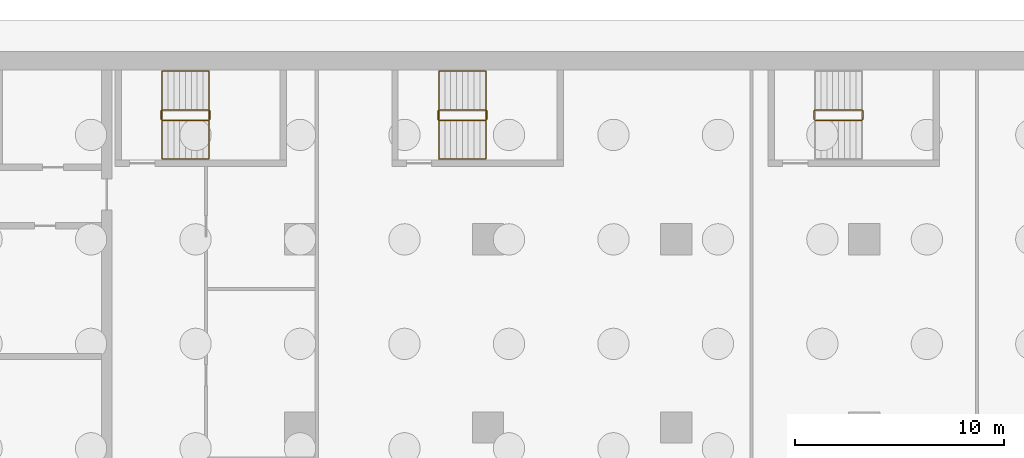
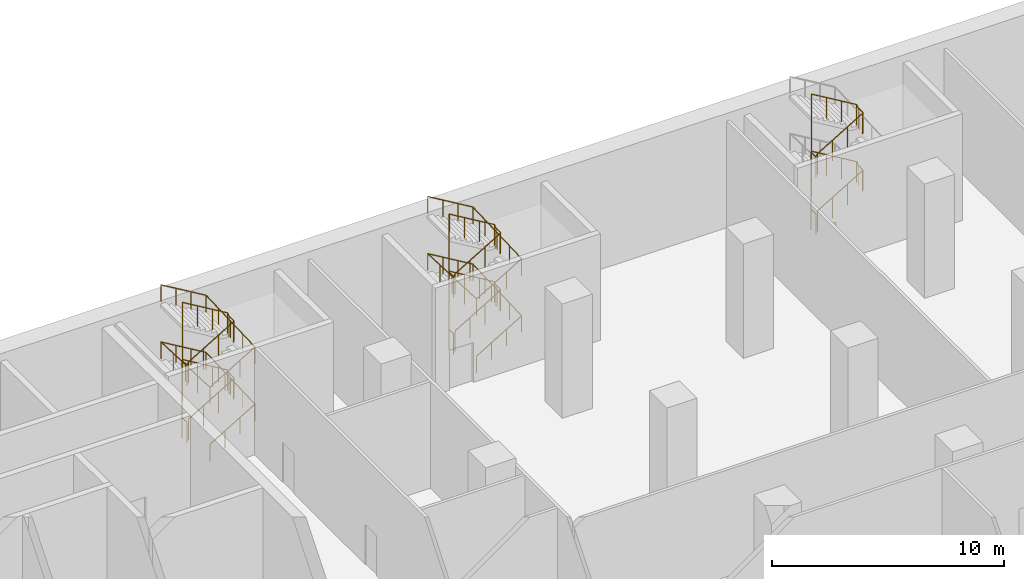
# One storey, part 23 of 25: 5 railings.
"""IFC4 building model written with IfcOpenShell, lengths in metres."""

import ifcopenshell
import ifcopenshell.guid

model = None  # the IFC model being written
_history = None  # IfcOwnerHistory: only IFC2X3 demands one
_inside = {}  # id of a spatial element -> (the spatial element, [elements in it])
_under = {}  # id of a project, library or spatial element -> (it, [spatial elements below it])
_declared = {}  # id of a project -> (the project, [libraries it declares])
_typed = {}  # id of a type object -> (the type object, [elements of that type])
_made_of = {}  # id of a material, layer set ... -> (it, [elements and type objects made of it])


def new_model(schema):
    """Start an empty IFC model of exactly this schema.

    Asked for "IFC4X3", IfcOpenShell would pick the latest addendum, in which some entities
    have other attributes; the version numbers below select the first issue.
    IFC2X3 requires an IfcOwnerHistory on every rooted entity: one is made here for all.
    """
    global model, _history
    if schema == "IFC4X3":
        model = ifcopenshell.file(schema_version=(4, 3, 0, 0))
    else:
        model = ifcopenshell.file(schema=schema)
    _inside.clear()
    _under.clear()
    _declared.clear()
    _typed.clear()
    _made_of.clear()
    _history = None
    if model.schema == "IFC2X3":
        org = make("IfcOrganization", Name="unknown")
        user = make(
            "IfcPersonAndOrganization",
            ThePerson=make("IfcPerson", FamilyName="unknown"),
            TheOrganization=org,
        )
        app = make(
            "IfcApplication",
            ApplicationDeveloper=org,
            Version="unknown",
            ApplicationFullName="unknown",
            ApplicationIdentifier="unknown",
        )
        _history = make(
            "IfcOwnerHistory",
            OwningUser=user,
            OwningApplication=app,
            ChangeAction="ADDED",
            CreationDate=0,
        )
    return model


def make(cls, **values):
    """One entity of the class cls with the attributes given. An attribute that is None is left unset."""
    return model.create_entity(
        cls, **{name: value for name, value in values.items() if value is not None}
    )


def rooted(cls, **values):
    """An entity with a GlobalId (a new one), such as an element, a storey or a relation."""
    return make(cls, GlobalId=ifcopenshell.guid.new(), OwnerHistory=_history, **values)


def si_unit(unit_type, name, prefix=None):
    """IfcSIUnit, for example si_unit("LENGTHUNIT", "METRE", prefix="MILLI")."""
    return make("IfcSIUnit", UnitType=unit_type, Prefix=prefix, Name=name)


def assignment(units):
    """IfcUnitAssignment: the units of a project."""
    return None if units is None else make("IfcUnitAssignment", Units=units)


def point(xyz):
    """IfcCartesianPoint."""
    return None if xyz is None else make("IfcCartesianPoint", Coordinates=xyz)


def direction(xyz):
    """IfcDirection."""
    return None if xyz is None else make("IfcDirection", DirectionRatios=xyz)


def frame(location, z_axis=None, x_axis=None):
    """IfcAxis2Placement3D, a coordinate frame: its origin and axes. An axis left out is left unset."""
    return make(
        "IfcAxis2Placement3D",
        Location=point(location),
        Axis=direction(z_axis),
        RefDirection=direction(x_axis),
    )


def frame_2d(location, x_axis=None):
    """IfcAxis2Placement2D, a coordinate frame in the plane: its origin and x axis."""
    return make(
        "IfcAxis2Placement2D", Location=point(location), RefDirection=direction(x_axis)
    )


def origin():
    """The frame at (0, 0, 0) with its axes left unset."""
    return frame((0.0, 0.0, 0.0))


def origin_2d():
    """The frame at (0, 0) in the plane with its x axis left unset."""
    return frame_2d((0.0, 0.0))


def place(relative_to, where):
    """IfcLocalPlacement: puts the frame where relative to a parent placement (None: the world)."""
    return make(
        "IfcLocalPlacement", PlacementRelTo=relative_to, RelativePlacement=where
    )


def context(
    kind, dimensions, precision=None, world=None, true_north=None, identifier=None
):
    """IfcGeometricRepresentationContext, for example the 3D "Model" context."""
    return make(
        "IfcGeometricRepresentationContext",
        ContextIdentifier=identifier,
        ContextType=kind,
        CoordinateSpaceDimension=dimensions,
        Precision=precision,
        WorldCoordinateSystem=world,
        TrueNorth=true_north,
    )


def subcontext(parent, identifier, kind, view, scale=None):
    """IfcGeometricRepresentationSubContext, for example "Body" below "Model"."""
    return make(
        "IfcGeometricRepresentationSubContext",
        ContextIdentifier=identifier,
        ContextType=kind,
        ParentContext=parent,
        TargetScale=scale,
        TargetView=view,
    )


def project(units=None, contexts=None):
    """IfcProject with its units and contexts."""
    return rooted(
        "IfcProject",
        Name="project",
        RepresentationContexts=contexts,
        UnitsInContext=assignment(units),
    )


def spatial(cls, under=None, at=None, **own):
    """A site, building, storey or space (cls), placed at a placement, below another one or the project."""
    s = rooted(cls, ObjectPlacement=at, **own)
    if under is not None:
        _under.setdefault(under.id(), (under, []))[1].append(s)
    return s


def profile(cls, at=None, kind="AREA", **sizes):
    """A parametric profile (cls). Its sizes go by their IFC names, for example OverallWidth=200.0."""
    return make(cls, ProfileType=kind, Position=at, **sizes)


def circle(**sizes):
    """IfcCircleProfileDef."""
    return profile("IfcCircleProfileDef", **sizes)


def extrude(swept, where, along, depth):
    """IfcExtrudedAreaSolid: the profile swept, set in the frame where, extruded along a direction by depth."""
    return make(
        "IfcExtrudedAreaSolid",
        SweptArea=swept,
        Position=where,
        ExtrudedDirection=direction(along),
        Depth=depth,
    )


def shape(context_of_items, identifier, shape_type, items):
    """IfcShapeRepresentation: the items that make up one representation, for example the "Body"."""
    return make(
        "IfcShapeRepresentation",
        ContextOfItems=context_of_items,
        RepresentationIdentifier=identifier,
        RepresentationType=shape_type,
        Items=items,
    )


def material(Name=None, Category=None):
    """IfcMaterial."""
    return make("IfcMaterial", Name=Name, Category=Category)


def made_of(thing, what):
    """Note that an element or type object is made of a material, layer set ...; save() writes the relation."""
    if what is not None:
        _made_of.setdefault(what.id(), (what, []))[1].append(thing)
    return thing


def type_object(cls, material=None, **own):
    """A type object (cls), such as IfcWallType, which elements share."""
    return made_of(rooted(cls, **own), material)


def element(
    cls,
    number,
    at=None,
    inside=None,
    cuts=None,
    type_object=None,
    material=None,
    context=None,
    identifier="Body",
    shape_type=None,
    held_by="IfcProductDefinitionShape",
    body=None,
    shapes=None,
    **own,
):
    """One element of the class cls, such as IfcWall. Its Tag is "e" and its number.

    at: its placement. inside: the storey or other place that contains it. cuts: it is an
    opening in that element (IfcRelVoidsElement). A single representation is given by context,
    identifier, shape_type and body (its items); several are given by shapes. held_by: the class
    of the entity that holds the representations. save() writes the other relations.
    """
    e = rooted(cls, Tag="e%d" % number, ObjectPlacement=at, **own)
    if body is not None:
        shapes = [shape(context, identifier, shape_type, body)]
    if shapes is not None:
        e.Representation = make(held_by, Representations=shapes)
    if inside is not None:
        _inside.setdefault(inside.id(), (inside, []))[1].append(e)
    if cuts is not None:
        rooted(
            "IfcRelVoidsElement", RelatingBuildingElement=cuts, RelatedOpeningElement=e
        )
    if type_object is not None:
        _typed.setdefault(type_object.id(), (type_object, []))[1].append(e)
    return made_of(e, material)


def aggregate(whole, parts):
    """IfcRelAggregates: a whole, such as a stair, and the parts it consists of."""
    return rooted("IfcRelAggregates", RelatingObject=whole, RelatedObjects=parts)


def save(model, path):
    """Write the relations noted so far, then the file.

    IfcRelAggregates (storeys below a building ...), IfcRelContainedInSpatialStructure (elements
    in a storey), IfcRelDefinesByType, IfcRelAssociatesMaterial and IfcRelDeclares: one each for
    every whole, place, type object, material and project.
    """
    for whole, parts in _under.values():
        aggregate(whole, parts)
    for where, things in _inside.values():
        rooted(
            "IfcRelContainedInSpatialStructure",
            RelatedElements=things,
            RelatingStructure=where,
        )
    for kind, things in _typed.values():
        rooted("IfcRelDefinesByType", RelatedObjects=things, RelatingType=kind)
    for what, things in _made_of.values():
        rooted("IfcRelAssociatesMaterial", RelatedObjects=things, RelatingMaterial=what)
    for by, libraries in _declared.values():
        rooted("IfcRelDeclares", RelatingContext=by, RelatedDefinitions=libraries)
    model.write(path)


model = new_model("IFC4")

# Units and contexts
model_context = context("Model", 3, precision=1e-05, world=origin(), true_north=direction((0.0, 1.0)))
body_context = subcontext(model_context, "Body", "Model", "MODEL_VIEW")
ifc_project = project(units=[si_unit("LENGTHUNIT", "METRE"), si_unit("AREAUNIT", "SQUARE_METRE"), si_unit("VOLUMEUNIT", "CUBIC_METRE"), si_unit("PLANEANGLEUNIT", "RADIAN"), si_unit("MASSUNIT", "GRAM", prefix="KILO")], contexts=[model_context])

# Site, building, storey
site_placement = place(None, origin())
site = spatial("IfcSite", under=ifc_project, at=site_placement, CompositionType="ELEMENT")
building_placement = place(site_placement, origin())
building = spatial("IfcBuilding", under=site, at=building_placement, Name="Hunhe Ridgeline Campus", CompositionType="ELEMENT")
storey_placement = place(building_placement, frame((0.0, 0.0, -6.0)))
storey = spatial("IfcBuildingStorey", under=building, at=storey_placement, Name="B1", CompositionType="ELEMENT", Elevation=-6.0)

# Railings
ifc_material_1 = material(Name="Stainless steel balustrade", Category="steel")
railing_type_1 = type_object("IfcRailingType", Name="Stair guard 1100 stainless", PredefinedType="GUARDRAIL", material=ifc_material_1)
railing_1_placement = place(storey_placement, frame((38.39990234375, 95.699951171875, 0.166748046875)))
element("IfcRailing", 1, at=railing_1_placement, inside=storey, type_object=railing_type_1, Name="B1 stair E1 guard", PredefinedType="GUARDRAIL", context=body_context, shape_type="SweptSolid", body=[
    extrude(circle(Radius=0.02392578125, at=origin_2d()), frame((0.0, 0.0, 1.076171875), z_axis=(0.859305625298, 0.0, 0.511462454469), x_axis=(0.0, 1.0, 0.0)), (0.0, 0.0, 1.0), 2.606689453125),
    extrude(circle(Radius=0.02392578125, at=origin_2d()), frame((2.239990234375, 0.0, 2.4091796875), z_axis=(0.707106781187, 0.707106781187, 0.0), x_axis=(-0.707106781187, 0.707106781187, 0.0)), (0.0, 0.0, 1.0), 0.07080078125),
    extrude(circle(Radius=0.02392578125, at=origin_2d()), frame((2.2900390625, 0.050048828125, 2.4091796875), z_axis=(0.0, 1.0, 0.0), x_axis=(-1.0, 0.0, 0.0)), (0.0, 0.0, 1.0), 0.39990234375),
    extrude(circle(Radius=0.02392578125, at=origin_2d()), frame((2.2900390625, 0.449951171875, 2.4091796875), z_axis=(-0.27628659633, 0.27628659633, 0.920506074601), x_axis=(-0.707106781187, -0.707106781187, 0.0)), (0.0, 0.0, 1.0), 0.18115234375),
    extrude(circle(Radius=0.02392578125, at=origin_2d()), frame((2.239990234375, 0.5, 2.576171875), z_axis=(-0.859305625298, 0.0, 0.511462454469), x_axis=(0.0, -1.0, 0.0)), (0.0, 0.0, 1.0), 2.606689453125),
    extrude(circle(Radius=0.02392578125, at=origin_2d()), frame((0.0, 0.5, 3.9091796875), z_axis=(-0.705375805398, -0.708833529934, 0.0), x_axis=(0.708833529934, -0.705375805398, 0.0)), (0.0, 0.0, 1.0), 0.070556640625),
    extrude(circle(Radius=0.02392578125, at=origin_2d()), frame((-0.0498046875, 0.449951171875, 3.9091796875), z_axis=(0.0, -1.0, 0.0), x_axis=(1.0, 0.0, 0.0)), (0.0, 0.0, 1.0), 0.39990234375),
    extrude(circle(Radius=0.02392578125, at=origin_2d()), frame((-0.0498046875, 0.050048828125, 3.9091796875), z_axis=(0.275041040955, -0.276389281352, 0.920848191041), x_axis=(0.708833529934, 0.705375805398, 0.0)), (0.0, 0.0, 1.0), 0.18115234375),
    extrude(circle(Radius=0.02392578125, at=origin_2d()), frame((0.0, 0.0, 4.076171875), z_axis=(0.859305625298, 0.0, 0.511462454469), x_axis=(0.0, 1.0, 0.0)), (0.0, 0.0, 1.0), 2.606689453125),
    extrude(circle(Radius=0.02392578125, at=origin_2d()), frame((2.239990234375, 0.0, 5.4091796875), z_axis=(0.707106781187, 0.707106781187, 0.0), x_axis=(-0.707106781187, 0.707106781187, 0.0)), (0.0, 0.0, 1.0), 0.07080078125),
    extrude(circle(Radius=0.02392578125, at=origin_2d()), frame((2.2900390625, 0.050048828125, 5.4091796875), z_axis=(0.0, 1.0, 0.0), x_axis=(-1.0, 0.0, 0.0)), (0.0, 0.0, 1.0), 0.39990234375),
    extrude(circle(Radius=0.02392578125, at=origin_2d()), frame((2.2900390625, 0.449951171875, 5.4091796875), z_axis=(-0.27628659633, 0.27628659633, 0.920506074601), x_axis=(-0.707106781187, -0.707106781187, 0.0)), (0.0, 0.0, 1.0), 0.18115234375),
    extrude(circle(Radius=0.02392578125, at=origin_2d()), frame((2.239990234375, 0.5, 5.576171875), z_axis=(-0.859305625298, 0.0, 0.511462454469), x_axis=(0.0, -1.0, 0.0)), (0.0, 0.0, 1.0), 2.606689453125),
    extrude(circle(Radius=0.02392578125, at=origin_2d()), frame((0.0, 0.5, 6.9091796875), z_axis=(-0.008300206551, -0.008340893838, -0.999930765634), x_axis=(1.0, 0.0, 0.0)), (0.0, 0.0, 1.0), 6.00048828125),
    extrude(circle(Radius=0.02392578125, at=origin_2d()), frame((-0.0498046875, 0.449951171875, 0.9091796875), z_axis=(0.0, -1.0, 0.0), x_axis=(1.0, 0.0, 0.0)), (0.0, 0.0, 1.0), 0.39990234375),
    extrude(circle(Radius=0.02099609375, at=origin_2d()), origin(), (0.0, 0.0, 1.0), 1.052001953125),
    extrude(circle(Radius=0.02099609375, at=origin_2d()), frame((0.74658203125, 0.0, 0.4443359375)), (0.0, 0.0, 1.0), 1.052001953125),
    extrude(circle(Radius=0.02099609375, at=origin_2d()), frame((1.493408203125, 0.0, 0.888916015625)), (0.0, 0.0, 1.0), 1.052001953125),
    extrude(circle(Radius=0.02099609375, at=origin_2d()), frame((2.239990234375, 0.0, 1.333251953125)), (0.0, 0.0, 1.0), 1.052001953125),
    extrude(circle(Radius=0.02099609375, at=origin_2d()), frame((2.2900390625, 0.050048828125, 1.333251953125)), (0.0, 0.0, 1.0), 1.052001953125),
    extrude(circle(Radius=0.02099609375, at=origin_2d()), frame((2.2900390625, 0.449951171875, 1.333251953125)), (0.0, 0.0, 1.0), 1.052001953125),
    extrude(circle(Radius=0.02099609375, at=origin_2d()), frame((2.239990234375, 0.5, 1.5)), (0.0, 0.0, 1.0), 1.052001953125),
    extrude(circle(Radius=0.02099609375, at=origin_2d()), frame((1.493408203125, 0.5, 1.9443359375)), (0.0, 0.0, 1.0), 1.052001953125),
    extrude(circle(Radius=0.02099609375, at=origin_2d()), frame((0.74658203125, 0.5, 2.388916015625)), (0.0, 0.0, 1.0), 1.052001953125),
    extrude(circle(Radius=0.02099609375, at=origin_2d()), frame((0.0, 0.5, 2.833251953125)), (0.0, 0.0, 1.0), 1.052001953125),
    extrude(circle(Radius=0.02099609375, at=origin_2d()), frame((-0.0498046875, 0.449951171875, 2.833251953125)), (0.0, 0.0, 1.0), 1.052001953125),
    extrude(circle(Radius=0.02099609375, at=origin_2d()), frame((-0.0498046875, 0.050048828125, 2.833251953125)), (0.0, 0.0, 1.0), 1.052001953125),
    extrude(circle(Radius=0.02099609375, at=origin_2d()), frame((0.0, 0.0, 3.0)), (0.0, 0.0, 1.0), 1.052001953125),
    extrude(circle(Radius=0.02099609375, at=origin_2d()), frame((0.74658203125, 0.0, 3.4443359375)), (0.0, 0.0, 1.0), 1.052001953125),
    extrude(circle(Radius=0.02099609375, at=origin_2d()), frame((1.493408203125, 0.0, 3.888916015625)), (0.0, 0.0, 1.0), 1.052001953125),
    extrude(circle(Radius=0.02099609375, at=origin_2d()), frame((2.239990234375, 0.0, 4.333251953125)), (0.0, 0.0, 1.0), 1.052001953125),
    extrude(circle(Radius=0.02099609375, at=origin_2d()), frame((2.2900390625, 0.050048828125, 4.333251953125)), (0.0, 0.0, 1.0), 1.052001953125),
    extrude(circle(Radius=0.02099609375, at=origin_2d()), frame((2.2900390625, 0.449951171875, 4.333251953125)), (0.0, 0.0, 1.0), 1.052001953125),
    extrude(circle(Radius=0.02099609375, at=origin_2d()), frame((2.239990234375, 0.5, 4.5)), (0.0, 0.0, 1.0), 1.052001953125),
    extrude(circle(Radius=0.02099609375, at=origin_2d()), frame((1.493408203125, 0.5, 4.9443359375)), (0.0, 0.0, 1.0), 1.052001953125),
    extrude(circle(Radius=0.02099609375, at=origin_2d()), frame((0.74658203125, 0.5, 5.388916015625)), (0.0, 0.0, 1.0), 1.052001953125),
    extrude(circle(Radius=0.02099609375, at=origin_2d()), frame((0.0, 0.5, 5.833251953125)), (0.0, 0.0, 1.0), 1.052001953125),
    extrude(circle(Radius=0.02099609375, at=origin_2d()), frame((-0.00830078125, 0.49169921875, 4.833251953125)), (0.0, 0.0, 1.0), 1.052001953125),
    extrude(circle(Radius=0.02099609375, at=origin_2d()), frame((-0.0166015625, 0.4833984375, 3.833251953125)), (0.0, 0.0, 1.0), 1.052001953125),
    extrude(circle(Radius=0.02099609375, at=origin_2d()), frame((-0.02490234375, 0.47509765625, 2.833251953125)), (0.0, 0.0, 1.0), 1.052001953125),
    extrude(circle(Radius=0.02099609375, at=origin_2d()), frame((-0.033203125, 0.466552734375, 1.833251953125)), (0.0, 0.0, 1.0), 1.052001953125),
    extrude(circle(Radius=0.02099609375, at=origin_2d()), frame((-0.04150390625, 0.458251953125, 0.833251953125)), (0.0, 0.0, 1.0), 1.052001953125),
    extrude(circle(Radius=0.02099609375, at=origin_2d()), frame((-0.0498046875, 0.449951171875, -0.166748046875)), (0.0, 0.0, 1.0), 1.052001953125),
    extrude(circle(Radius=0.02099609375, at=origin_2d()), frame((-0.0498046875, 0.050048828125, -0.166748046875)), (0.0, 0.0, 1.0), 1.052001953125),
])
railing_2_placement = place(storey_placement, frame((51.64990234375, 95.699951171875, 0.166748046875)))
element("IfcRailing", 2, at=railing_2_placement, inside=storey, type_object=railing_type_1, Name="B1 stair E2 guard", PredefinedType="GUARDRAIL", context=body_context, shape_type="SweptSolid", body=[
    extrude(circle(Radius=0.02392578125, at=origin_2d()), frame((0.0, 0.0, 1.076171875), z_axis=(0.859305625298, 0.0, 0.511462454469), x_axis=(0.0, 1.0, 0.0)), (0.0, 0.0, 1.0), 2.606689453125),
    extrude(circle(Radius=0.02392578125, at=origin_2d()), frame((2.239990234375, 0.0, 2.4091796875), z_axis=(0.707106781187, 0.707106781187, 0.0), x_axis=(-0.707106781187, 0.707106781187, 0.0)), (0.0, 0.0, 1.0), 0.07080078125),
    extrude(circle(Radius=0.02392578125, at=origin_2d()), frame((2.2900390625, 0.050048828125, 2.4091796875), z_axis=(0.0, 1.0, 0.0), x_axis=(-1.0, 0.0, 0.0)), (0.0, 0.0, 1.0), 0.39990234375),
    extrude(circle(Radius=0.02392578125, at=origin_2d()), frame((2.2900390625, 0.449951171875, 2.4091796875), z_axis=(-0.27628659633, 0.27628659633, 0.920506074601), x_axis=(-0.707106781187, -0.707106781187, 0.0)), (0.0, 0.0, 1.0), 0.18115234375),
    extrude(circle(Radius=0.02392578125, at=origin_2d()), frame((2.239990234375, 0.5, 2.576171875), z_axis=(-0.859305625298, 0.0, 0.511462454469), x_axis=(0.0, -1.0, 0.0)), (0.0, 0.0, 1.0), 2.606689453125),
    extrude(circle(Radius=0.02392578125, at=origin_2d()), frame((0.0, 0.5, 3.9091796875), z_axis=(-0.705375805398, -0.708833529934, 0.0), x_axis=(0.708833529934, -0.705375805398, 0.0)), (0.0, 0.0, 1.0), 0.070556640625),
    extrude(circle(Radius=0.02392578125, at=origin_2d()), frame((-0.0498046875, 0.449951171875, 3.9091796875), z_axis=(0.0, -1.0, 0.0), x_axis=(1.0, 0.0, 0.0)), (0.0, 0.0, 1.0), 0.39990234375),
    extrude(circle(Radius=0.02392578125, at=origin_2d()), frame((-0.0498046875, 0.050048828125, 3.9091796875), z_axis=(0.275041040955, -0.276389281352, 0.920848191041), x_axis=(0.708833529934, 0.705375805398, 0.0)), (0.0, 0.0, 1.0), 0.18115234375),
    extrude(circle(Radius=0.02392578125, at=origin_2d()), frame((0.0, 0.0, 4.076171875), z_axis=(0.859305625298, 0.0, 0.511462454469), x_axis=(0.0, 1.0, 0.0)), (0.0, 0.0, 1.0), 2.606689453125),
    extrude(circle(Radius=0.02392578125, at=origin_2d()), frame((2.239990234375, 0.0, 5.4091796875), z_axis=(0.707106781187, 0.707106781187, 0.0), x_axis=(-0.707106781187, 0.707106781187, 0.0)), (0.0, 0.0, 1.0), 0.07080078125),
    extrude(circle(Radius=0.02392578125, at=origin_2d()), frame((2.2900390625, 0.050048828125, 5.4091796875), z_axis=(0.0, 1.0, 0.0), x_axis=(-1.0, 0.0, 0.0)), (0.0, 0.0, 1.0), 0.39990234375),
    extrude(circle(Radius=0.02392578125, at=origin_2d()), frame((2.2900390625, 0.449951171875, 5.4091796875), z_axis=(-0.27628659633, 0.27628659633, 0.920506074601), x_axis=(-0.707106781187, -0.707106781187, 0.0)), (0.0, 0.0, 1.0), 0.18115234375),
    extrude(circle(Radius=0.02392578125, at=origin_2d()), frame((2.239990234375, 0.5, 5.576171875), z_axis=(-0.859305625298, 0.0, 0.511462454469), x_axis=(0.0, -1.0, 0.0)), (0.0, 0.0, 1.0), 2.606689453125),
    extrude(circle(Radius=0.02392578125, at=origin_2d()), frame((0.0, 0.5, 6.9091796875), z_axis=(-0.008300206551, -0.008340893838, -0.999930765634), x_axis=(1.0, 0.0, 0.0)), (0.0, 0.0, 1.0), 6.00048828125),
    extrude(circle(Radius=0.02392578125, at=origin_2d()), frame((-0.0498046875, 0.449951171875, 0.9091796875), z_axis=(0.0, -1.0, 0.0), x_axis=(1.0, 0.0, 0.0)), (0.0, 0.0, 1.0), 0.39990234375),
    extrude(circle(Radius=0.02099609375, at=origin_2d()), origin(), (0.0, 0.0, 1.0), 1.052001953125),
    extrude(circle(Radius=0.02099609375, at=origin_2d()), frame((0.74658203125, 0.0, 0.4443359375)), (0.0, 0.0, 1.0), 1.052001953125),
    extrude(circle(Radius=0.02099609375, at=origin_2d()), frame((1.493408203125, 0.0, 0.888916015625)), (0.0, 0.0, 1.0), 1.052001953125),
    extrude(circle(Radius=0.02099609375, at=origin_2d()), frame((2.239990234375, 0.0, 1.333251953125)), (0.0, 0.0, 1.0), 1.052001953125),
    extrude(circle(Radius=0.02099609375, at=origin_2d()), frame((2.2900390625, 0.050048828125, 1.333251953125)), (0.0, 0.0, 1.0), 1.052001953125),
    extrude(circle(Radius=0.02099609375, at=origin_2d()), frame((2.2900390625, 0.449951171875, 1.333251953125)), (0.0, 0.0, 1.0), 1.052001953125),
    extrude(circle(Radius=0.02099609375, at=origin_2d()), frame((2.239990234375, 0.5, 1.5)), (0.0, 0.0, 1.0), 1.052001953125),
    extrude(circle(Radius=0.02099609375, at=origin_2d()), frame((1.493408203125, 0.5, 1.9443359375)), (0.0, 0.0, 1.0), 1.052001953125),
    extrude(circle(Radius=0.02099609375, at=origin_2d()), frame((0.74658203125, 0.5, 2.388916015625)), (0.0, 0.0, 1.0), 1.052001953125),
    extrude(circle(Radius=0.02099609375, at=origin_2d()), frame((0.0, 0.5, 2.833251953125)), (0.0, 0.0, 1.0), 1.052001953125),
    extrude(circle(Radius=0.02099609375, at=origin_2d()), frame((-0.0498046875, 0.449951171875, 2.833251953125)), (0.0, 0.0, 1.0), 1.052001953125),
    extrude(circle(Radius=0.02099609375, at=origin_2d()), frame((-0.0498046875, 0.050048828125, 2.833251953125)), (0.0, 0.0, 1.0), 1.052001953125),
    extrude(circle(Radius=0.02099609375, at=origin_2d()), frame((0.0, 0.0, 3.0)), (0.0, 0.0, 1.0), 1.052001953125),
    extrude(circle(Radius=0.02099609375, at=origin_2d()), frame((0.74658203125, 0.0, 3.4443359375)), (0.0, 0.0, 1.0), 1.052001953125),
    extrude(circle(Radius=0.02099609375, at=origin_2d()), frame((1.493408203125, 0.0, 3.888916015625)), (0.0, 0.0, 1.0), 1.052001953125),
    extrude(circle(Radius=0.02099609375, at=origin_2d()), frame((2.239990234375, 0.0, 4.333251953125)), (0.0, 0.0, 1.0), 1.052001953125),
    extrude(circle(Radius=0.02099609375, at=origin_2d()), frame((2.2900390625, 0.050048828125, 4.333251953125)), (0.0, 0.0, 1.0), 1.052001953125),
    extrude(circle(Radius=0.02099609375, at=origin_2d()), frame((2.2900390625, 0.449951171875, 4.333251953125)), (0.0, 0.0, 1.0), 1.052001953125),
    extrude(circle(Radius=0.02099609375, at=origin_2d()), frame((2.239990234375, 0.5, 4.5)), (0.0, 0.0, 1.0), 1.052001953125),
    extrude(circle(Radius=0.02099609375, at=origin_2d()), frame((1.493408203125, 0.5, 4.9443359375)), (0.0, 0.0, 1.0), 1.052001953125),
    extrude(circle(Radius=0.02099609375, at=origin_2d()), frame((0.74658203125, 0.5, 5.388916015625)), (0.0, 0.0, 1.0), 1.052001953125),
    extrude(circle(Radius=0.02099609375, at=origin_2d()), frame((0.0, 0.5, 5.833251953125)), (0.0, 0.0, 1.0), 1.052001953125),
    extrude(circle(Radius=0.02099609375, at=origin_2d()), frame((-0.00830078125, 0.49169921875, 4.833251953125)), (0.0, 0.0, 1.0), 1.052001953125),
    extrude(circle(Radius=0.02099609375, at=origin_2d()), frame((-0.0166015625, 0.4833984375, 3.833251953125)), (0.0, 0.0, 1.0), 1.052001953125),
    extrude(circle(Radius=0.02099609375, at=origin_2d()), frame((-0.02490234375, 0.47509765625, 2.833251953125)), (0.0, 0.0, 1.0), 1.052001953125),
    extrude(circle(Radius=0.02099609375, at=origin_2d()), frame((-0.033203125, 0.466552734375, 1.833251953125)), (0.0, 0.0, 1.0), 1.052001953125),
    extrude(circle(Radius=0.02099609375, at=origin_2d()), frame((-0.04150390625, 0.458251953125, 0.833251953125)), (0.0, 0.0, 1.0), 1.052001953125),
    extrude(circle(Radius=0.02099609375, at=origin_2d()), frame((-0.0498046875, 0.449951171875, -0.166748046875)), (0.0, 0.0, 1.0), 1.052001953125),
    extrude(circle(Radius=0.02099609375, at=origin_2d()), frame((-0.0498046875, 0.050048828125, -0.166748046875)), (0.0, 0.0, 1.0), 1.052001953125),
])
railing_3_placement = place(storey_placement, frame((69.64990234375, 95.699951171875, 0.166748046875)))
element("IfcRailing", 3, at=railing_3_placement, inside=storey, type_object=railing_type_1, Name="B1 stair E3 guard", PredefinedType="GUARDRAIL", context=body_context, shape_type="SweptSolid", body=[
    extrude(circle(Radius=0.02392578125, at=origin_2d()), frame((0.0, 0.0, 1.076171875), z_axis=(0.859305625298, 0.0, 0.511462454469), x_axis=(0.0, 1.0, 0.0)), (0.0, 0.0, 1.0), 2.606689453125),
    extrude(circle(Radius=0.02392578125, at=origin_2d()), frame((2.239990234375, 0.0, 2.4091796875), z_axis=(0.707106781187, 0.707106781187, 0.0), x_axis=(-0.707106781187, 0.707106781187, 0.0)), (0.0, 0.0, 1.0), 0.07080078125),
    extrude(circle(Radius=0.02392578125, at=origin_2d()), frame((2.2900390625, 0.050048828125, 2.4091796875), z_axis=(0.0, 1.0, 0.0), x_axis=(-1.0, 0.0, 0.0)), (0.0, 0.0, 1.0), 0.39990234375),
    extrude(circle(Radius=0.02392578125, at=origin_2d()), frame((2.2900390625, 0.449951171875, 2.4091796875), z_axis=(-0.27628659633, 0.27628659633, 0.920506074601), x_axis=(-0.707106781187, -0.707106781187, 0.0)), (0.0, 0.0, 1.0), 0.18115234375),
    extrude(circle(Radius=0.02392578125, at=origin_2d()), frame((2.239990234375, 0.5, 2.576171875), z_axis=(-0.859305625298, 0.0, 0.511462454469), x_axis=(0.0, -1.0, 0.0)), (0.0, 0.0, 1.0), 2.606689453125),
    extrude(circle(Radius=0.02392578125, at=origin_2d()), frame((0.0, 0.5, 3.9091796875), z_axis=(-0.705375805398, -0.708833529934, 0.0), x_axis=(0.708833529934, -0.705375805398, 0.0)), (0.0, 0.0, 1.0), 0.070556640625),
    extrude(circle(Radius=0.02392578125, at=origin_2d()), frame((-0.0498046875, 0.449951171875, 3.9091796875), z_axis=(0.0, -1.0, 0.0), x_axis=(1.0, 0.0, 0.0)), (0.0, 0.0, 1.0), 0.39990234375),
    extrude(circle(Radius=0.02392578125, at=origin_2d()), frame((-0.0498046875, 0.050048828125, 3.9091796875), z_axis=(0.275041040955, -0.276389281352, 0.920848191041), x_axis=(0.708833529934, 0.705375805398, 0.0)), (0.0, 0.0, 1.0), 0.18115234375),
    extrude(circle(Radius=0.02392578125, at=origin_2d()), frame((0.0, 0.0, 4.076171875), z_axis=(0.859305625298, 0.0, 0.511462454469), x_axis=(0.0, 1.0, 0.0)), (0.0, 0.0, 1.0), 2.606689453125),
    extrude(circle(Radius=0.02392578125, at=origin_2d()), frame((2.239990234375, 0.0, 5.4091796875), z_axis=(0.707106781187, 0.707106781187, 0.0), x_axis=(-0.707106781187, 0.707106781187, 0.0)), (0.0, 0.0, 1.0), 0.07080078125),
    extrude(circle(Radius=0.02392578125, at=origin_2d()), frame((2.2900390625, 0.050048828125, 5.4091796875), z_axis=(0.0, 1.0, 0.0), x_axis=(-1.0, 0.0, 0.0)), (0.0, 0.0, 1.0), 0.39990234375),
    extrude(circle(Radius=0.02392578125, at=origin_2d()), frame((2.2900390625, 0.449951171875, 5.4091796875), z_axis=(-0.27628659633, 0.27628659633, 0.920506074601), x_axis=(-0.707106781187, -0.707106781187, 0.0)), (0.0, 0.0, 1.0), 0.18115234375),
    extrude(circle(Radius=0.02392578125, at=origin_2d()), frame((2.239990234375, 0.5, 5.576171875), z_axis=(-0.859305625298, 0.0, 0.511462454469), x_axis=(0.0, -1.0, 0.0)), (0.0, 0.0, 1.0), 2.606689453125),
    extrude(circle(Radius=0.02392578125, at=origin_2d()), frame((0.0, 0.5, 6.9091796875), z_axis=(-0.008300206551, -0.008340893838, -0.999930765634), x_axis=(1.0, 0.0, 0.0)), (0.0, 0.0, 1.0), 6.00048828125),
    extrude(circle(Radius=0.02392578125, at=origin_2d()), frame((-0.0498046875, 0.449951171875, 0.9091796875), z_axis=(0.0, -1.0, 0.0), x_axis=(1.0, 0.0, 0.0)), (0.0, 0.0, 1.0), 0.39990234375),
    extrude(circle(Radius=0.02099609375, at=origin_2d()), origin(), (0.0, 0.0, 1.0), 1.052001953125),
    extrude(circle(Radius=0.02099609375, at=origin_2d()), frame((0.74658203125, 0.0, 0.4443359375)), (0.0, 0.0, 1.0), 1.052001953125),
    extrude(circle(Radius=0.02099609375, at=origin_2d()), frame((1.493408203125, 0.0, 0.888916015625)), (0.0, 0.0, 1.0), 1.052001953125),
    extrude(circle(Radius=0.02099609375, at=origin_2d()), frame((2.239990234375, 0.0, 1.333251953125)), (0.0, 0.0, 1.0), 1.052001953125),
    extrude(circle(Radius=0.02099609375, at=origin_2d()), frame((2.2900390625, 0.050048828125, 1.333251953125)), (0.0, 0.0, 1.0), 1.052001953125),
    extrude(circle(Radius=0.02099609375, at=origin_2d()), frame((2.2900390625, 0.449951171875, 1.333251953125)), (0.0, 0.0, 1.0), 1.052001953125),
    extrude(circle(Radius=0.02099609375, at=origin_2d()), frame((2.239990234375, 0.5, 1.5)), (0.0, 0.0, 1.0), 1.052001953125),
    extrude(circle(Radius=0.02099609375, at=origin_2d()), frame((1.493408203125, 0.5, 1.9443359375)), (0.0, 0.0, 1.0), 1.052001953125),
    extrude(circle(Radius=0.02099609375, at=origin_2d()), frame((0.74658203125, 0.5, 2.388916015625)), (0.0, 0.0, 1.0), 1.052001953125),
    extrude(circle(Radius=0.02099609375, at=origin_2d()), frame((0.0, 0.5, 2.833251953125)), (0.0, 0.0, 1.0), 1.052001953125),
    extrude(circle(Radius=0.02099609375, at=origin_2d()), frame((-0.0498046875, 0.449951171875, 2.833251953125)), (0.0, 0.0, 1.0), 1.052001953125),
    extrude(circle(Radius=0.02099609375, at=origin_2d()), frame((-0.0498046875, 0.050048828125, 2.833251953125)), (0.0, 0.0, 1.0), 1.052001953125),
    extrude(circle(Radius=0.02099609375, at=origin_2d()), frame((0.0, 0.0, 3.0)), (0.0, 0.0, 1.0), 1.052001953125),
    extrude(circle(Radius=0.02099609375, at=origin_2d()), frame((0.74658203125, 0.0, 3.4443359375)), (0.0, 0.0, 1.0), 1.052001953125),
    extrude(circle(Radius=0.02099609375, at=origin_2d()), frame((1.493408203125, 0.0, 3.888916015625)), (0.0, 0.0, 1.0), 1.052001953125),
    extrude(circle(Radius=0.02099609375, at=origin_2d()), frame((2.239990234375, 0.0, 4.333251953125)), (0.0, 0.0, 1.0), 1.052001953125),
    extrude(circle(Radius=0.02099609375, at=origin_2d()), frame((2.2900390625, 0.050048828125, 4.333251953125)), (0.0, 0.0, 1.0), 1.052001953125),
    extrude(circle(Radius=0.02099609375, at=origin_2d()), frame((2.2900390625, 0.449951171875, 4.333251953125)), (0.0, 0.0, 1.0), 1.052001953125),
    extrude(circle(Radius=0.02099609375, at=origin_2d()), frame((2.239990234375, 0.5, 4.5)), (0.0, 0.0, 1.0), 1.052001953125),
    extrude(circle(Radius=0.02099609375, at=origin_2d()), frame((1.493408203125, 0.5, 4.9443359375)), (0.0, 0.0, 1.0), 1.052001953125),
    extrude(circle(Radius=0.02099609375, at=origin_2d()), frame((0.74658203125, 0.5, 5.388916015625)), (0.0, 0.0, 1.0), 1.052001953125),
    extrude(circle(Radius=0.02099609375, at=origin_2d()), frame((0.0, 0.5, 5.833251953125)), (0.0, 0.0, 1.0), 1.052001953125),
    extrude(circle(Radius=0.02099609375, at=origin_2d()), frame((-0.00830078125, 0.49169921875, 4.833251953125)), (0.0, 0.0, 1.0), 1.052001953125),
    extrude(circle(Radius=0.02099609375, at=origin_2d()), frame((-0.0166015625, 0.4833984375, 3.833251953125)), (0.0, 0.0, 1.0), 1.052001953125),
    extrude(circle(Radius=0.02099609375, at=origin_2d()), frame((-0.02490234375, 0.47509765625, 2.833251953125)), (0.0, 0.0, 1.0), 1.052001953125),
    extrude(circle(Radius=0.02099609375, at=origin_2d()), frame((-0.033203125, 0.466552734375, 1.833251953125)), (0.0, 0.0, 1.0), 1.052001953125),
    extrude(circle(Radius=0.02099609375, at=origin_2d()), frame((-0.04150390625, 0.458251953125, 0.833251953125)), (0.0, 0.0, 1.0), 1.052001953125),
    extrude(circle(Radius=0.02099609375, at=origin_2d()), frame((-0.0498046875, 0.449951171875, -0.166748046875)), (0.0, 0.0, 1.0), 1.052001953125),
    extrude(circle(Radius=0.02099609375, at=origin_2d()), frame((-0.0498046875, 0.050048828125, -0.166748046875)), (0.0, 0.0, 1.0), 1.052001953125),
])
ifc_material_2 = material(Name="Stainless steel handrail", Category="steel")
railing_type_2 = type_object("IfcRailingType", Name="Stair handrail 900 stainless", PredefinedType="HANDRAIL", material=ifc_material_2)
railing_4_placement = place(storey_placement, frame((38.39990234375, 93.85009765625, 0.166748046875)))
element("IfcRailing", 4, at=railing_4_placement, inside=storey, type_object=railing_type_2, Name="B1 stair E1 handrail", PredefinedType="HANDRAIL", context=body_context, shape_type="SweptSolid", body=[
    extrude(circle(Radius=0.02392578125, at=origin_2d()), frame((0.0, 0.0, 0.8759765625), z_axis=(0.859305625298, 0.0, 0.511462454469), x_axis=(0.0, 1.0, 0.0)), (0.0, 0.0, 1.0), 2.606689453125),
    extrude(circle(Radius=0.02392578125, at=origin_2d()), frame((2.239990234375, 0.0, 2.208984375), z_axis=(0.0, 0.999212791134, 0.039671123429), x_axis=(-1.0, 0.0, 0.0)), (0.0, 0.0, 1.0), 4.203369140625),
    extrude(circle(Radius=0.02392578125, at=origin_2d()), frame((2.239990234375, 4.199951171875, 2.3759765625), z_axis=(-0.859305625298, 0.0, 0.511462454469), x_axis=(0.0, -1.0, 0.0)), (0.0, 0.0, 1.0), 2.606689453125),
    extrude(circle(Radius=0.02392578125, at=origin_2d()), frame((0.0, 4.199951171875, 3.708984375), z_axis=(0.0, -0.999212791134, 0.039671123429), x_axis=(1.0, 0.0, 0.0)), (0.0, 0.0, 1.0), 4.203369140625),
    extrude(circle(Radius=0.02392578125, at=origin_2d()), frame((0.0, 0.0, 3.8759765625), z_axis=(0.859305625298, 0.0, 0.511462454469), x_axis=(0.0, 1.0, 0.0)), (0.0, 0.0, 1.0), 2.606689453125),
    extrude(circle(Radius=0.02392578125, at=origin_2d()), frame((2.239990234375, 0.0, 5.208984375), z_axis=(0.0, 0.999212791134, 0.039671123429), x_axis=(-1.0, 0.0, 0.0)), (0.0, 0.0, 1.0), 4.203369140625),
    extrude(circle(Radius=0.02392578125, at=origin_2d()), frame((2.239990234375, 4.199951171875, 5.3759765625), z_axis=(-0.859305625298, 0.0, 0.511462454469), x_axis=(0.0, -1.0, 0.0)), (0.0, 0.0, 1.0), 2.606689453125),
    extrude(circle(Radius=0.02099609375, at=origin_2d()), origin(), (0.0, 0.0, 1.0), 0.851806640625),
    extrude(circle(Radius=0.02099609375, at=origin_2d()), frame((0.74658203125, 0.0, 0.4443359375)), (0.0, 0.0, 1.0), 0.851806640625),
    extrude(circle(Radius=0.02099609375, at=origin_2d()), frame((1.493408203125, 0.0, 0.888916015625)), (0.0, 0.0, 1.0), 0.851806640625),
    extrude(circle(Radius=0.02099609375, at=origin_2d()), frame((2.239990234375, 0.0, 1.333251953125)), (0.0, 0.0, 1.0), 0.851806640625),
    extrude(circle(Radius=0.02099609375, at=origin_2d()), frame((2.239990234375, 1.050048828125, 1.375)), (0.0, 0.0, 1.0), 0.851806640625),
    extrude(circle(Radius=0.02099609375, at=origin_2d()), frame((2.239990234375, 2.10009765625, 1.41650390625)), (0.0, 0.0, 1.0), 0.851806640625),
    extrude(circle(Radius=0.02099609375, at=origin_2d()), frame((2.239990234375, 3.14990234375, 1.458251953125)), (0.0, 0.0, 1.0), 0.851806640625),
    extrude(circle(Radius=0.02099609375, at=origin_2d()), frame((2.239990234375, 4.199951171875, 1.5)), (0.0, 0.0, 1.0), 0.851806640625),
    extrude(circle(Radius=0.02099609375, at=origin_2d()), frame((1.493408203125, 4.199951171875, 1.9443359375)), (0.0, 0.0, 1.0), 0.851806640625),
    extrude(circle(Radius=0.02099609375, at=origin_2d()), frame((0.74658203125, 4.199951171875, 2.388916015625)), (0.0, 0.0, 1.0), 0.851806640625),
    extrude(circle(Radius=0.02099609375, at=origin_2d()), frame((0.0, 4.199951171875, 2.833251953125)), (0.0, 0.0, 1.0), 0.851806640625),
    extrude(circle(Radius=0.02099609375, at=origin_2d()), frame((0.0, 3.14990234375, 2.875)), (0.0, 0.0, 1.0), 0.851806640625),
    extrude(circle(Radius=0.02099609375, at=origin_2d()), frame((0.0, 2.10009765625, 2.91650390625)), (0.0, 0.0, 1.0), 0.851806640625),
    extrude(circle(Radius=0.02099609375, at=origin_2d()), frame((0.0, 1.050048828125, 2.958251953125)), (0.0, 0.0, 1.0), 0.851806640625),
    extrude(circle(Radius=0.02099609375, at=origin_2d()), frame((0.0, 0.0, 3.0)), (0.0, 0.0, 1.0), 0.851806640625),
    extrude(circle(Radius=0.02099609375, at=origin_2d()), frame((0.74658203125, 0.0, 3.4443359375)), (0.0, 0.0, 1.0), 0.851806640625),
    extrude(circle(Radius=0.02099609375, at=origin_2d()), frame((1.493408203125, 0.0, 3.888916015625)), (0.0, 0.0, 1.0), 0.851806640625),
    extrude(circle(Radius=0.02099609375, at=origin_2d()), frame((2.239990234375, 0.0, 4.333251953125)), (0.0, 0.0, 1.0), 0.851806640625),
    extrude(circle(Radius=0.02099609375, at=origin_2d()), frame((2.239990234375, 1.050048828125, 4.375)), (0.0, 0.0, 1.0), 0.851806640625),
    extrude(circle(Radius=0.02099609375, at=origin_2d()), frame((2.239990234375, 2.10009765625, 4.41650390625)), (0.0, 0.0, 1.0), 0.851806640625),
    extrude(circle(Radius=0.02099609375, at=origin_2d()), frame((2.239990234375, 3.14990234375, 4.458251953125)), (0.0, 0.0, 1.0), 0.851806640625),
    extrude(circle(Radius=0.02099609375, at=origin_2d()), frame((2.239990234375, 4.199951171875, 4.5)), (0.0, 0.0, 1.0), 0.851806640625),
    extrude(circle(Radius=0.02099609375, at=origin_2d()), frame((1.493408203125, 4.199951171875, 4.9443359375)), (0.0, 0.0, 1.0), 0.851806640625),
    extrude(circle(Radius=0.02099609375, at=origin_2d()), frame((0.74658203125, 4.199951171875, 5.388916015625)), (0.0, 0.0, 1.0), 0.851806640625),
    extrude(circle(Radius=0.02099609375, at=origin_2d()), frame((0.0, 4.199951171875, 5.833251953125)), (0.0, 0.0, 1.0), 0.851806640625),
])
railing_5_placement = place(storey_placement, frame((51.64990234375, 93.85009765625, 0.166748046875)))
element("IfcRailing", 5, at=railing_5_placement, inside=storey, type_object=railing_type_2, Name="B1 stair E2 handrail", PredefinedType="HANDRAIL", context=body_context, shape_type="SweptSolid", body=[
    extrude(circle(Radius=0.02392578125, at=origin_2d()), frame((0.0, 0.0, 0.8759765625), z_axis=(0.859305625298, 0.0, 0.511462454469), x_axis=(0.0, 1.0, 0.0)), (0.0, 0.0, 1.0), 2.606689453125),
    extrude(circle(Radius=0.02392578125, at=origin_2d()), frame((2.239990234375, 0.0, 2.208984375), z_axis=(0.0, 0.999212791134, 0.039671123429), x_axis=(-1.0, 0.0, 0.0)), (0.0, 0.0, 1.0), 4.203369140625),
    extrude(circle(Radius=0.02392578125, at=origin_2d()), frame((2.239990234375, 4.199951171875, 2.3759765625), z_axis=(-0.859305625298, 0.0, 0.511462454469), x_axis=(0.0, -1.0, 0.0)), (0.0, 0.0, 1.0), 2.606689453125),
    extrude(circle(Radius=0.02392578125, at=origin_2d()), frame((0.0, 4.199951171875, 3.708984375), z_axis=(0.0, -0.999212791134, 0.039671123429), x_axis=(1.0, 0.0, 0.0)), (0.0, 0.0, 1.0), 4.203369140625),
    extrude(circle(Radius=0.02392578125, at=origin_2d()), frame((0.0, 0.0, 3.8759765625), z_axis=(0.859305625298, 0.0, 0.511462454469), x_axis=(0.0, 1.0, 0.0)), (0.0, 0.0, 1.0), 2.606689453125),
    extrude(circle(Radius=0.02392578125, at=origin_2d()), frame((2.239990234375, 0.0, 5.208984375), z_axis=(0.0, 0.999212791134, 0.039671123429), x_axis=(-1.0, 0.0, 0.0)), (0.0, 0.0, 1.0), 4.203369140625),
    extrude(circle(Radius=0.02392578125, at=origin_2d()), frame((2.239990234375, 4.199951171875, 5.3759765625), z_axis=(-0.859305625298, 0.0, 0.511462454469), x_axis=(0.0, -1.0, 0.0)), (0.0, 0.0, 1.0), 2.606689453125),
    extrude(circle(Radius=0.02099609375, at=origin_2d()), origin(), (0.0, 0.0, 1.0), 0.851806640625),
    extrude(circle(Radius=0.02099609375, at=origin_2d()), frame((0.74658203125, 0.0, 0.4443359375)), (0.0, 0.0, 1.0), 0.851806640625),
    extrude(circle(Radius=0.02099609375, at=origin_2d()), frame((1.493408203125, 0.0, 0.888916015625)), (0.0, 0.0, 1.0), 0.851806640625),
    extrude(circle(Radius=0.02099609375, at=origin_2d()), frame((2.239990234375, 0.0, 1.333251953125)), (0.0, 0.0, 1.0), 0.851806640625),
    extrude(circle(Radius=0.02099609375, at=origin_2d()), frame((2.239990234375, 1.050048828125, 1.375)), (0.0, 0.0, 1.0), 0.851806640625),
    extrude(circle(Radius=0.02099609375, at=origin_2d()), frame((2.239990234375, 2.10009765625, 1.41650390625)), (0.0, 0.0, 1.0), 0.851806640625),
    extrude(circle(Radius=0.02099609375, at=origin_2d()), frame((2.239990234375, 3.14990234375, 1.458251953125)), (0.0, 0.0, 1.0), 0.851806640625),
    extrude(circle(Radius=0.02099609375, at=origin_2d()), frame((2.239990234375, 4.199951171875, 1.5)), (0.0, 0.0, 1.0), 0.851806640625),
    extrude(circle(Radius=0.02099609375, at=origin_2d()), frame((1.493408203125, 4.199951171875, 1.9443359375)), (0.0, 0.0, 1.0), 0.851806640625),
    extrude(circle(Radius=0.02099609375, at=origin_2d()), frame((0.74658203125, 4.199951171875, 2.388916015625)), (0.0, 0.0, 1.0), 0.851806640625),
    extrude(circle(Radius=0.02099609375, at=origin_2d()), frame((0.0, 4.199951171875, 2.833251953125)), (0.0, 0.0, 1.0), 0.851806640625),
    extrude(circle(Radius=0.02099609375, at=origin_2d()), frame((0.0, 3.14990234375, 2.875)), (0.0, 0.0, 1.0), 0.851806640625),
    extrude(circle(Radius=0.02099609375, at=origin_2d()), frame((0.0, 2.10009765625, 2.91650390625)), (0.0, 0.0, 1.0), 0.851806640625),
    extrude(circle(Radius=0.02099609375, at=origin_2d()), frame((0.0, 1.050048828125, 2.958251953125)), (0.0, 0.0, 1.0), 0.851806640625),
    extrude(circle(Radius=0.02099609375, at=origin_2d()), frame((0.0, 0.0, 3.0)), (0.0, 0.0, 1.0), 0.851806640625),
    extrude(circle(Radius=0.02099609375, at=origin_2d()), frame((0.74658203125, 0.0, 3.4443359375)), (0.0, 0.0, 1.0), 0.851806640625),
    extrude(circle(Radius=0.02099609375, at=origin_2d()), frame((1.493408203125, 0.0, 3.888916015625)), (0.0, 0.0, 1.0), 0.851806640625),
    extrude(circle(Radius=0.02099609375, at=origin_2d()), frame((2.239990234375, 0.0, 4.333251953125)), (0.0, 0.0, 1.0), 0.851806640625),
    extrude(circle(Radius=0.02099609375, at=origin_2d()), frame((2.239990234375, 1.050048828125, 4.375)), (0.0, 0.0, 1.0), 0.851806640625),
    extrude(circle(Radius=0.02099609375, at=origin_2d()), frame((2.239990234375, 2.10009765625, 4.41650390625)), (0.0, 0.0, 1.0), 0.851806640625),
    extrude(circle(Radius=0.02099609375, at=origin_2d()), frame((2.239990234375, 3.14990234375, 4.458251953125)), (0.0, 0.0, 1.0), 0.851806640625),
    extrude(circle(Radius=0.02099609375, at=origin_2d()), frame((2.239990234375, 4.199951171875, 4.5)), (0.0, 0.0, 1.0), 0.851806640625),
    extrude(circle(Radius=0.02099609375, at=origin_2d()), frame((1.493408203125, 4.199951171875, 4.9443359375)), (0.0, 0.0, 1.0), 0.851806640625),
    extrude(circle(Radius=0.02099609375, at=origin_2d()), frame((0.74658203125, 4.199951171875, 5.388916015625)), (0.0, 0.0, 1.0), 0.851806640625),
    extrude(circle(Radius=0.02099609375, at=origin_2d()), frame((0.0, 4.199951171875, 5.833251953125)), (0.0, 0.0, 1.0), 0.851806640625),
])

save(model, "model.ifc")
